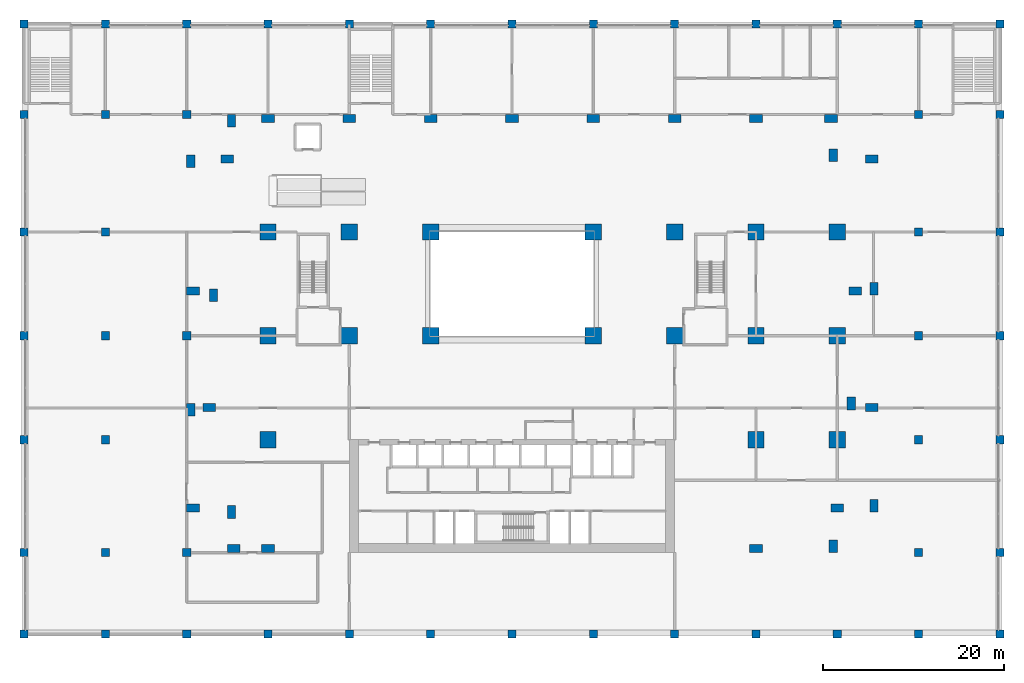
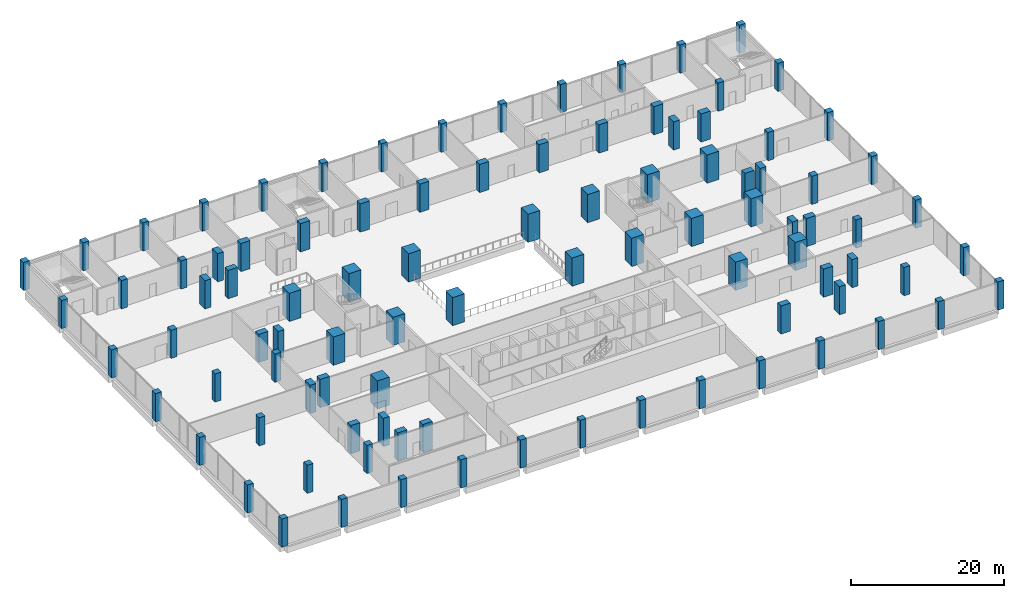
# One storey, part 1 of 22: 95 columns.
"""IFC4 building model written with IfcOpenShell, lengths in metres."""

from ifc_helpers import new_model, si_unit, direction, frame, origin, origin_2d, place, context, subcontext, project, spatial, rectangle, extrude, material, material_profile, profile_set, type_object, element, save


model = new_model("IFC4")

# Units and contexts
model_context = context("Model", 3, precision=1e-05, world=origin(), true_north=direction((0.0, 1.0)))
body_context = subcontext(model_context, "Body", "Model", "MODEL_VIEW")
ifc_project = project(units=[si_unit("LENGTHUNIT", "METRE"), si_unit("AREAUNIT", "SQUARE_METRE"), si_unit("VOLUMEUNIT", "CUBIC_METRE"), si_unit("PLANEANGLEUNIT", "RADIAN"), si_unit("MASSUNIT", "GRAM", prefix="KILO")], contexts=[model_context])

# Site, building, storey
site_placement = place(None, origin())
site = spatial("IfcSite", under=ifc_project, at=site_placement, CompositionType="ELEMENT")
building_placement = place(site_placement, origin())
building = spatial("IfcBuilding", under=site, at=building_placement, Name="Brigalow Station Residences", CompositionType="ELEMENT")
storey_placement = place(building_placement, frame((0.0, 0.0, 6.5)))
storey = spatial("IfcBuildingStorey", under=building, at=storey_placement, Name="L01", CompositionType="ELEMENT", Elevation=6.5)

# Columns
ifc_material_1 = material(Name="Concrete C80", Category="concrete")
ifc_material_profile_1 = material_profile(ifc_material_1, rectangle(XDim=1.800048828125, YDim=1.800048828125, at=origin_2d()), Name="RC1800x1800")
ifc_profile_set_1 = profile_set([ifc_material_profile_1], Name="Concrete C80")
column_type_1 = type_object("IfcColumnType", Name="COLUMN 1800x1800 C80", PredefinedType="COLUMN", material=ifc_profile_set_1)
for number, where, z_axis, x_axis, name in (
    (1, (9.0, 12.5, 0.0), (0.0, 0.0, 1.0), (1.0, 0.0, 0.0), "COLUMN B1 L01"),
    (2, (9.0, 24.0, 0.0), (0.0, 0.0, 1.0), (1.0, 0.0, 0.0), "COLUMN C1 L01"),
    (3, (9.0, 35.5, 0.0), (0.0, 0.0, 1.0), (1.0, 0.0, 0.0), "COLUMN D1 L01"),
    (4, (18.0, 24.0, 0.0), (0.0, 0.0, 1.0), (1.0, 0.0, 0.0), "COLUMN C2 L01"),
    (5, (18.0, 35.5, 0.0), (0.0, 0.0, 1.0), (1.0, 0.0, 0.0), "COLUMN D2 L01"),
    (6, (27.0, 24.0, 0.0), (0.0, 0.0, 1.0), (1.0, 0.0, 0.0), "COLUMN C3 L01"),
    (7, (27.0, 35.5, 0.0), (0.0, 0.0, 1.0), (1.0, 0.0, 0.0), "COLUMN D3 L01"),
    (8, (45.0, 24.0, 0.0), (0.0, 0.0, 1.0), (1.0, 0.0, 0.0), "COLUMN C5 L01"),
    (9, (45.0, 35.5, 0.0), (0.0, 0.0, 1.0), (1.0, 0.0, 0.0), "COLUMN D5 L01"),
    (10, (54.0, 24.0, 0.0), (0.0, 0.0, 1.0), (1.0, 0.0, 0.0), "COLUMN C6 L01"),
    (11, (54.0, 35.5, 0.0), (0.0, 0.0, 1.0), (1.0, 0.0, 0.0), "COLUMN D6 L01"),
    (12, (63.0, 12.5, 0.0), (0.0, 0.0, 1.0), (1.0, 0.0, 0.0), "COLUMN B7 L01"),
    (13, (63.0, 24.0, 0.0), (0.0, 0.0, 1.0), (1.0, 0.0, 0.0), "COLUMN C7 L01"),
    (14, (63.0, 35.5, 0.0), (0.0, 0.0, 1.0), (1.0, 0.0, 0.0), "COLUMN D7 L01"),
    (15, (72.0, 12.5, 0.0), (0.0, 0.0, 1.0), (1.0, 0.0, 0.0), "COLUMN B8 L01"),
    (16, (72.0, 24.0, 0.0), (0.0, 0.0, 1.0), (1.0, 0.0, 0.0), "COLUMN C8 L01"),
    (17, (72.0, 35.5, 0.0), (0.0, 0.0, 1.0), (1.0, 0.0, 0.0), "COLUMN D8 L01"),
):
    element("IfcColumn", number, at=place(storey_placement, frame(where, z_axis=z_axis, x_axis=x_axis)), inside=storey, type_object=column_type_1, Name=name, PredefinedType="COLUMN", context=body_context, shape_type="SweptSolid", body=[
        extrude(rectangle(XDim=1.800048828125, YDim=1.800048828125, at=origin_2d()), origin(), (0.0, 0.0, 1.0), 4.5),
    ])
ifc_material_2 = material(Name="Concrete C50", Category="concrete")
ifc_material_profile_2 = material_profile(ifc_material_2, rectangle(XDim=0.89990234375, YDim=0.89990234375, at=origin_2d()), Name="RC900x900")
ifc_profile_set_2 = profile_set([ifc_material_profile_2], Name="Concrete C50")
column_type_2 = type_object("IfcColumnType", Name="COLUMN 900x900 C50", PredefinedType="COLUMN", material=ifc_profile_set_2)
for number, where, z_axis, x_axis, name in (
    (18, (-18.0, -9.0, 0.0), (0.0, 0.0, 1.0), (1.0, 0.0, 0.0), "COLUMN ZW2 L01"),
    (19, (-18.0, 0.0, 0.0), (0.0, 0.0, 1.0), (1.0, 0.0, 0.0), "COLUMN AW2 L01"),
    (20, (-18.0, 12.5, 0.0), (0.0, 0.0, 1.0), (1.0, 0.0, 0.0), "COLUMN BW2 L01"),
    (21, (-18.0, 24.0, 0.0), (0.0, 0.0, 1.0), (1.0, 0.0, 0.0), "COLUMN CW2 L01"),
    (22, (-18.0, 35.5, 0.0), (0.0, 0.0, 1.0), (1.0, 0.0, 0.0), "COLUMN DW2 L01"),
    (23, (-18.0, 48.5, 0.0), (0.0, 0.0, 1.0), (1.0, 0.0, 0.0), "COLUMN EW2 L01"),
    (24, (-18.0, 58.5, 0.0), (0.0, 0.0, 1.0), (1.0, 0.0, 0.0), "COLUMN FW2 L01"),
    (25, (-9.0, -9.0, 0.0), (0.0, 0.0, 1.0), (1.0, 0.0, 0.0), "COLUMN ZW1 L01"),
    (26, (-9.0, 0.0, 0.0), (0.0, 0.0, 1.0), (1.0, 0.0, 0.0), "COLUMN AW1 L01"),
    (27, (-9.0, 12.5, 0.0), (0.0, 0.0, 1.0), (1.0, 0.0, 0.0), "COLUMN BW1 L01"),
    (28, (-9.0, 24.0, 0.0), (0.0, 0.0, 1.0), (1.0, 0.0, 0.0), "COLUMN CW1 L01"),
    (29, (-9.0, 35.5, 0.0), (0.0, 0.0, 1.0), (1.0, 0.0, 0.0), "COLUMN DW1 L01"),
    (30, (-9.0, 48.5, 0.0), (0.0, 0.0, 1.0), (1.0, 0.0, 0.0), "COLUMN EW1 L01"),
    (31, (-9.0, 58.5, 0.0), (0.0, 0.0, 1.0), (1.0, 0.0, 0.0), "COLUMN FW1 L01"),
    (32, (0.0, -9.0, 0.0), (0.0, 0.0, 1.0), (1.0, 0.0, 0.0), "COLUMN Z0 L01"),
    (33, (0.0, 0.0, 0.0), (0.0, 0.0, 1.0), (1.0, 0.0, 0.0), "COLUMN A0 L01"),
    (34, (0.0, 24.0, 0.0), (0.0, 0.0, 1.0), (1.0, 0.0, 0.0), "COLUMN C0 L01"),
    (35, (0.0, 48.5, 0.0), (0.0, 0.0, 1.0), (1.0, 0.0, 0.0), "COLUMN E0 L01"),
    (36, (0.0, 58.5, 0.0), (0.0, 0.0, 1.0), (1.0, 0.0, 0.0), "COLUMN F0 L01"),
    (37, (9.0, -9.0, 0.0), (0.0, 0.0, 1.0), (1.0, 0.0, 0.0), "COLUMN Z1 L01"),
    (38, (9.0, 58.5, 0.0), (0.0, 0.0, 1.0), (1.0, 0.0, 0.0), "COLUMN F1 L01"),
    (39, (18.0, -9.0, 0.0), (0.0, 0.0, 1.0), (1.0, 0.0, 0.0), "COLUMN Z2 L01"),
    (40, (18.0, 58.5, 0.0), (0.0, 0.0, 1.0), (1.0, 0.0, 0.0), "COLUMN F2 L01"),
    (41, (27.0, -9.0, 0.0), (0.0, 0.0, 1.0), (1.0, 0.0, 0.0), "COLUMN Z3 L01"),
    (42, (27.0, 58.5, 0.0), (0.0, 0.0, 1.0), (1.0, 0.0, 0.0), "COLUMN F3 L01"),
    (43, (36.0, -9.0, 0.0), (0.0, 0.0, 1.0), (1.0, 0.0, 0.0), "COLUMN Z4 L01"),
    (44, (36.0, 58.5, 0.0), (0.0, 0.0, 1.0), (1.0, 0.0, 0.0), "COLUMN F4 L01"),
    (45, (45.0, -9.0, 0.0), (0.0, 0.0, 1.0), (1.0, 0.0, 0.0), "COLUMN Z5 L01"),
    (46, (45.0, 58.5, 0.0), (0.0, 0.0, 1.0), (1.0, 0.0, 0.0), "COLUMN F5 L01"),
    (47, (54.0, -9.0, 0.0), (0.0, 0.0, 1.0), (1.0, 0.0, 0.0), "COLUMN Z6 L01"),
    (48, (54.0, 58.5, 0.0), (0.0, 0.0, 1.0), (1.0, 0.0, 0.0), "COLUMN F6 L01"),
    (49, (63.0, -9.0, 0.0), (0.0, 0.0, 1.0), (1.0, 0.0, 0.0), "COLUMN Z7 L01"),
    (50, (63.0, 58.5, 0.0), (0.0, 0.0, 1.0), (1.0, 0.0, 0.0), "COLUMN F7 L01"),
    (51, (72.0, -9.0, 0.0), (0.0, 0.0, 1.0), (1.0, 0.0, 0.0), "COLUMN Z8 L01"),
    (52, (72.0, 58.5, 0.0), (0.0, 0.0, 1.0), (1.0, 0.0, 0.0), "COLUMN F8 L01"),
    (53, (81.0, -9.0, 0.0), (0.0, 0.0, 1.0), (1.0, 0.0, 0.0), "COLUMN Z9 L01"),
    (54, (81.0, 0.0, 0.0), (0.0, 0.0, 1.0), (1.0, 0.0, 0.0), "COLUMN A9 L01"),
    (55, (81.0, 12.5, 0.0), (0.0, 0.0, 1.0), (1.0, 0.0, 0.0), "COLUMN B9 L01"),
    (56, (81.0, 24.0, 0.0), (0.0, 0.0, 1.0), (1.0, 0.0, 0.0), "COLUMN C9 L01"),
    (57, (81.0, 35.5, 0.0), (0.0, 0.0, 1.0), (1.0, 0.0, 0.0), "COLUMN D9 L01"),
    (58, (81.0, 48.5, 0.0), (0.0, 0.0, 1.0), (1.0, 0.0, 0.0), "COLUMN E9 L01"),
    (59, (81.0, 58.5, 0.0), (0.0, 0.0, 1.0), (1.0, 0.0, 0.0), "COLUMN F9 L01"),
    (60, (90.0, -9.0, 0.0), (0.0, 0.0, 1.0), (1.0, 0.0, 0.0), "COLUMN Z10 L01"),
    (61, (90.0, 0.0, 0.0), (0.0, 0.0, 1.0), (1.0, 0.0, 0.0), "COLUMN A10 L01"),
    (62, (90.0, 12.5, 0.0), (0.0, 0.0, 1.0), (1.0, 0.0, 0.0), "COLUMN B10 L01"),
    (63, (90.0, 24.0, 0.0), (0.0, 0.0, 1.0), (1.0, 0.0, 0.0), "COLUMN C10 L01"),
    (64, (90.0, 35.5, 0.0), (0.0, 0.0, 1.0), (1.0, 0.0, 0.0), "COLUMN D10 L01"),
    (65, (90.0, 48.5, 0.0), (0.0, 0.0, 1.0), (1.0, 0.0, 0.0), "COLUMN E10 L01"),
    (66, (90.0, 58.5, 0.0), (0.0, 0.0, 1.0), (1.0, 0.0, 0.0), "COLUMN F10 L01"),
):
    element("IfcColumn", number, at=place(storey_placement, frame(where, z_axis=z_axis, x_axis=x_axis)), inside=storey, type_object=column_type_2, Name=name, PredefinedType="COLUMN", context=body_context, shape_type="SweptSolid", body=[
        extrude(rectangle(XDim=0.89990234375, YDim=0.89990234375, at=origin_2d()), origin(), (0.0, 0.0, 1.0), 4.5),
    ])
ifc_material_3 = material(Name="Concrete C80", Category="concrete")
ifc_material_profile_3 = material_profile(ifc_material_3, rectangle(XDim=1.39990234375, YDim=0.89990234375, at=origin_2d()), Name="RC1400x900")
ifc_profile_set_3 = profile_set([ifc_material_profile_3], Name="Concrete C80")
column_type_3 = type_object("IfcColumnType", Name="PIER 1400x900 C80", PredefinedType="USERDEFINED", material=ifc_profile_set_3)
for number, where, z_axis, x_axis, name in (
    (67, (9.0, 0.449951171875, 0.0), (0.0, 0.0, 1.0), (1.0, 0.0, 0.0), "PIER S-2 L01"),
    (68, (63.0, 0.449951171875, 0.0), (0.0, 0.0, 1.0), (1.0, 0.0, 0.0), "PIER S-14 L01"),
    (69, (71.550048828125, 0.699951171875, 0.0), (0.0, 0.0, 1.0), (0.0, 1.0, 0.0), "PIER SE1-1 L01"),
    (70, (72.0, 4.949951171875, 0.0), (0.0, 0.0, 1.0), (1.0, 0.0, 0.0), "PIER SE2-1 L01"),
    (71, (76.050048828125, 5.199951171875, 0.0), (0.0, 0.0, 1.0), (0.0, 1.0, 0.0), "PIER E1-1 L01"),
    (72, (75.800048828125, 16.050048828125, 0.0), (0.0, 0.0, 1.0), (-1.0, 0.0, 0.0), "PIER EL1-1 L01"),
    (73, (73.550048828125, 16.5, 0.0), (0.0, 0.0, 1.0), (0.0, 1.0, 0.0), "PIER EL2-1 L01"),
    (74, (74.0, 28.949951171875, 0.0), (0.0, 0.0, 1.0), (1.0, 0.0, 0.0), "PIER EL3-1 L01"),
    (75, (76.050048828125, 29.199951171875, 0.0), (0.0, 0.0, 1.0), (0.0, 1.0, 0.0), "PIER E2-1 L01"),
    (76, (75.800048828125, 43.550048828125, 0.0), (0.0, 0.0, 1.0), (-1.0, 0.0, 0.0), "PIER NE1-1 L01"),
    (77, (71.550048828125, 44.0, 0.0), (0.0, 0.0, 1.0), (0.0, 1.0, 0.0), "PIER NE2-1 L01"),
    (78, (71.300048828125, 48.050048828125, 0.0), (0.0, 0.0, 1.0), (-1.0, 0.0, 0.0), "PIER N-1 L01"),
    (79, (63.0, 48.050048828125, 0.0), (0.0, 0.0, 1.0), (-1.0, 0.0, 0.0), "PIER N-3 L01"),
    (80, (54.0, 48.050048828125, 0.0), (0.0, 0.0, 1.0), (-1.0, 0.0, 0.0), "PIER N-5 L01"),
    (81, (45.0, 48.050048828125, 0.0), (0.0, 0.0, 1.0), (-1.0, 0.0, 0.0), "PIER N-7 L01"),
    (82, (36.0, 48.050048828125, 0.0), (0.0, 0.0, 1.0), (-1.0, 0.0, 0.0), "PIER N-9 L01"),
    (83, (27.0, 48.050048828125, 0.0), (0.0, 0.0, 1.0), (-1.0, 0.0, 0.0), "PIER N-11 L01"),
    (84, (18.0, 48.050048828125, 0.0), (0.0, 0.0, 1.0), (-1.0, 0.0, 0.0), "PIER N-13 L01"),
    (85, (9.0, 48.050048828125, 0.0), (0.0, 0.0, 1.0), (-1.0, 0.0, 0.0), "PIER N-15 L01"),
    (86, (4.949951171875, 47.800048828125, 0.0), (0.0, 0.0, 1.0), (0.0, -1.0, 0.0), "PIER NW1-1 L01"),
    (87, (4.5, 43.550048828125, 0.0), (0.0, 0.0, 1.0), (-1.0, 0.0, 0.0), "PIER NW2-1 L01"),
    (88, (0.449951171875, 43.300048828125, 0.0), (0.0, 0.0, 1.0), (0.0, -1.0, 0.0), "PIER W2-1 L01"),
    (89, (0.699951171875, 28.949951171875, 0.0), (0.0, 0.0, 1.0), (1.0, 0.0, 0.0), "PIER WL1-1 L01"),
    (90, (2.949951171875, 28.5, 0.0), (0.0, 0.0, 1.0), (0.0, -1.0, 0.0), "PIER WL2-1 L01"),
    (91, (2.5, 16.050048828125, 0.0), (0.0, 0.0, 1.0), (-1.0, 0.0, 0.0), "PIER WL3-1 L01"),
    (92, (0.449951171875, 15.800048828125, 0.0), (0.0, 0.0, 1.0), (0.0, -1.0, 0.0), "PIER W1-1 L01"),
    (93, (0.699951171875, 4.949951171875, 0.0), (0.0, 0.0, 1.0), (1.0, 0.0, 0.0), "PIER SW1-1 L01"),
    (94, (4.949951171875, 4.5, 0.0), (0.0, 0.0, 1.0), (0.0, -1.0, 0.0), "PIER SW2-1 L01"),
    (95, (5.199951171875, 0.449951171875, 0.0), (0.0, 0.0, 1.0), (1.0, 0.0, 0.0), "PIER S-1 L01"),
):
    element("IfcColumn", number, at=place(storey_placement, frame(where, z_axis=z_axis, x_axis=x_axis)), inside=storey, type_object=column_type_3, Name=name, ObjectType="PIER", PredefinedType="USERDEFINED", context=body_context, shape_type="SweptSolid", body=[
        extrude(rectangle(XDim=1.39990234375, YDim=0.89990234375, at=origin_2d()), origin(), (0.0, 0.0, 1.0), 4.5),
    ])

save(model, "model.ifc")
